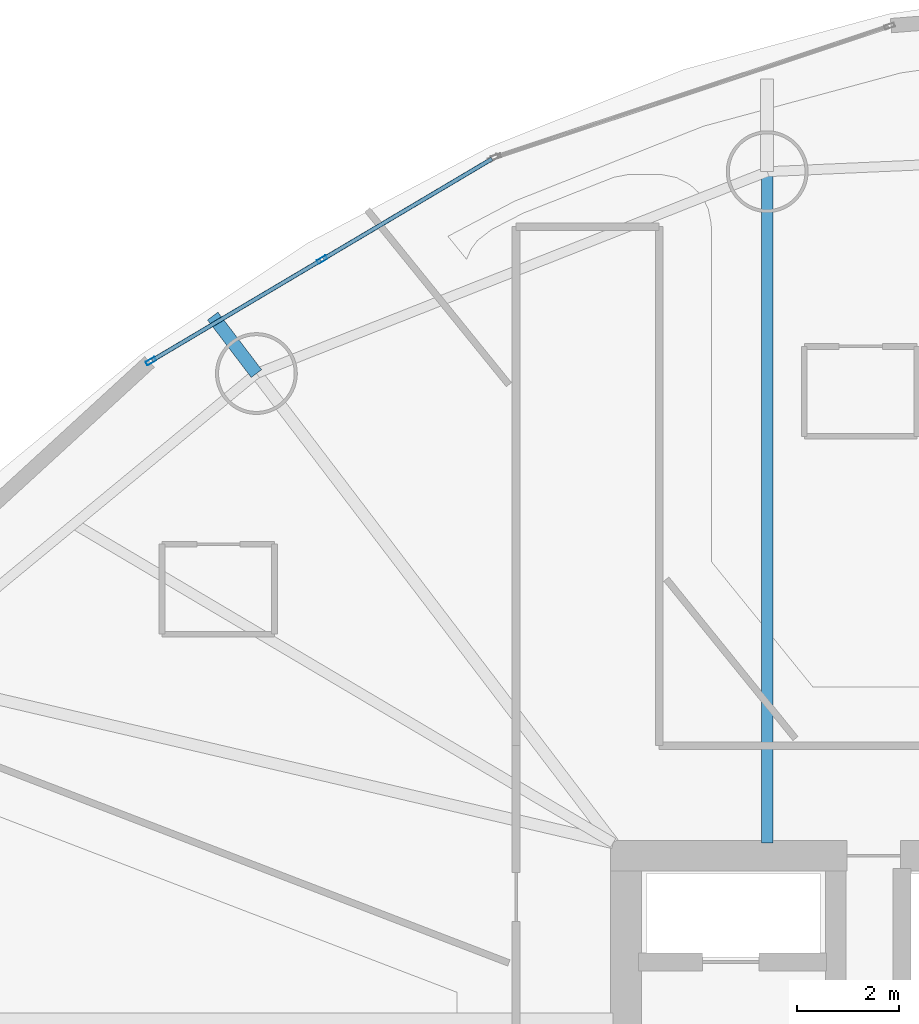
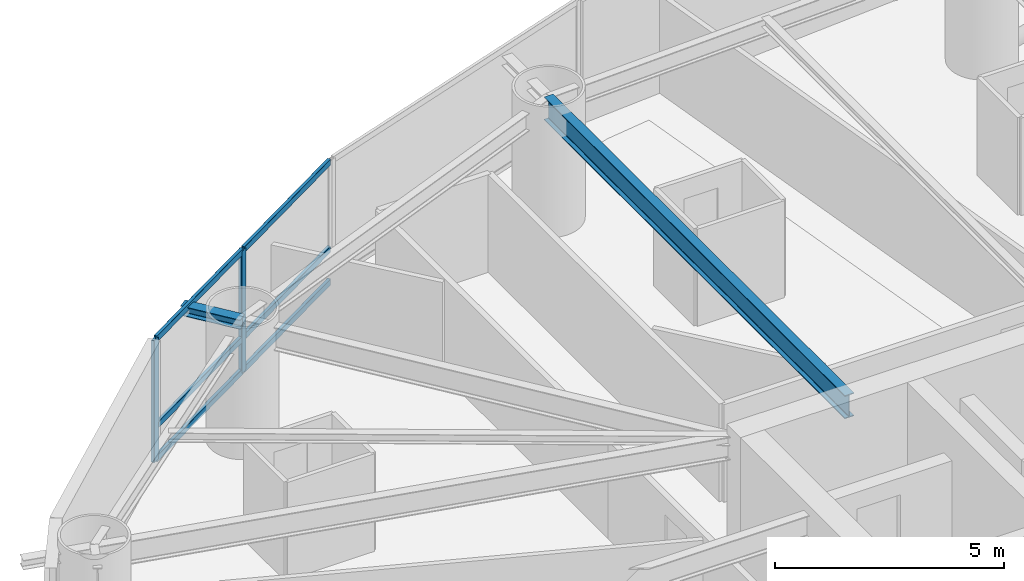
# One storey, part 12 of 25: 8 members, 2 beams, 1 element without a shape of its own.
"""IFC4 building model written with IfcOpenShell, lengths in metres."""

from ifc_helpers import new_model, si_unit, direction, frame, origin, origin_2d, place, context, subcontext, project, spatial, hollow_rectangle, i_section, extrude, material, layer, layer_set, material_profile, profile_set, type_object, element, aggregate, save


model = new_model("IFC4")

# Units and contexts
model_context = context("Model", 3, precision=1e-05, world=origin(), true_north=direction((0.0, 1.0)))
body_context = subcontext(model_context, "Body", "Model", "MODEL_VIEW")
ifc_project = project(units=[si_unit("LENGTHUNIT", "METRE"), si_unit("AREAUNIT", "SQUARE_METRE"), si_unit("VOLUMEUNIT", "CUBIC_METRE"), si_unit("PLANEANGLEUNIT", "RADIAN"), si_unit("MASSUNIT", "GRAM", prefix="KILO")], contexts=[model_context])

# Site, building, storey
site_placement = place(None, origin())
site = spatial("IfcSite", under=ifc_project, at=site_placement, CompositionType="ELEMENT")
building_placement = place(site_placement, origin())
building = spatial("IfcBuilding", under=site, at=building_placement, Name="Bramvorn Convention Spire", CompositionType="ELEMENT")
storey_placement = place(building_placement, frame((0.0, 0.0, 48.39990234375)))
storey = spatial("IfcBuildingStorey", under=building, at=storey_placement, Name="L09", CompositionType="ELEMENT", Elevation=48.39990234375)

# Beams
ifc_material_1 = material(Name="Steel CSA G40.21 Grade 350 (350W)", Category="steel")
ifc_material_profile_1 = material_profile(ifc_material_1, i_section(OverallWidth=0.25390625, OverallDepth=0.2529296875, WebThickness=0.008544921875, FlangeThickness=0.01416015625, FilletRadius=0.011962890625, at=origin_2d()))
ifc_profile_set_1 = profile_set([ifc_material_profile_1], Name="Steel CSA G40.21 Grade 350 (350W) - W250X73")
beam_type_1 = type_object("IfcBeamType", Name="BM-W250X73", PredefinedType="BEAM", material=ifc_profile_set_1)
beam_1_placement = place(storey_placement, frame((19.772216796875, 42.628662109375, 3.108642578125), z_axis=(-0.605162198439, 0.796102200462, 0.0), x_axis=(-0.796102200462, -0.605162198439, 0.0)))
element("IfcBeam", 1, at=beam_1_placement, inside=storey, type_object=beam_type_1, Name="L09 slab-edge cantilever tip beam MC07", PredefinedType="BEAM", context=body_context, shape_type="SweptSolid", body=[
    extrude(i_section(OverallWidth=0.25390625, OverallDepth=0.2529296875, WebThickness=0.008544921875, FlangeThickness=0.01416015625, FilletRadius=0.011962890625, at=origin_2d()), origin(), (0.0, 0.0, 1.0), 1.41162109375),
])
ifc_material_profile_2 = material_profile(ifc_material_1, i_section(OverallWidth=0.22998046875, OverallDepth=0.616943359375, WebThickness=0.01318359375, FlangeThickness=0.022216796875, FilletRadius=0.02001953125, at=origin_2d()))
ifc_profile_set_2 = profile_set([ifc_material_profile_2], Name="Steel CSA G40.21 Grade 350 (350W) - W610X140")
beam_type_2 = type_object("IfcBeamType", Name="BM-W610X140", PredefinedType="BEAM", material=ifc_profile_set_2)
beam_2_placement = place(storey_placement, frame((29.76220703125, 33.449951171875, 2.941650390625), z_axis=(0.0, 1.0, 0.0), x_axis=(-1.0, 0.0, 0.0)))
element("IfcBeam", 2, at=beam_2_placement, inside=storey, type_object=beam_type_2, Name="L09 radial floor girder MC06", PredefinedType="BEAM", context=body_context, shape_type="SweptSolid", body=[
    extrude(i_section(OverallWidth=0.22998046875, OverallDepth=0.616943359375, WebThickness=0.01318359375, FlangeThickness=0.022216796875, FilletRadius=0.02001953125, at=origin_2d()), origin(), (0.0, 0.0, 1.0), 13.126708984375),
])

# Curtain wall, members
ifc_material_2 = material(Name="Anodised Bronze Unitised Curtain Wall", Category="aluminium")
ifc_layer = layer(ifc_material_2, 0.179931640625)
ifc_layer_set = layer_set([ifc_layer], Name="Anodised Bronze Unitised Curtain Wall - CW-HTL-FRIT")
curtain_wall_type = type_object("IfcCurtainWallType", Name="CW-HTL-FRIT", PredefinedType="USERDEFINED", material=ifc_layer_set)
curtain_wall_placement = place(storey_placement, origin())
curtain_wall = element("IfcCurtainWall", 3, at=curtain_wall_placement, inside=storey, type_object=curtain_wall_type, Name="L09 fritted glass curtain wall 09", ObjectType="UNITISED CURTAIN WALL", PredefinedType="USERDEFINED")
ifc_material_3 = material(Name="Anodised Bronze Aluminium 6063-T6", Category="aluminium")
ifc_material_profile_3 = material_profile(ifc_material_3, hollow_rectangle(XDim=0.080078125, YDim=0.199951171875, WallThickness=0.00390625, InnerFilletRadius=0.0009765625, OuterFilletRadius=0.00390625, at=origin_2d()))
ifc_profile_set_3 = profile_set([ifc_material_profile_3], Name="Anodised Bronze Aluminium 6063-T6 - CWM80X200")
member_type_1 = type_object("IfcMemberType", Name="CW-MUL-180", PredefinedType="MULLION", material=ifc_profile_set_3)
member_1_placement = place(storey_placement, frame((17.708251953125, 42.871337890625, 0.0), z_axis=(0.0, 0.0, 1.0), x_axis=(-0.510048005962, 0.860145936231, 0.0)))
member_1 = element("IfcMember", 4, at=member_1_placement, type_object=member_type_1, Name="CW2 mullion 1", PredefinedType="MULLION", context=body_context, shape_type="SweptSolid", body=[
    extrude(hollow_rectangle(XDim=0.080078125, YDim=0.199951171875, WallThickness=0.00390625, InnerFilletRadius=0.0009765625, OuterFilletRadius=0.00390625, at=origin_2d()), origin(), (0.0, 0.0, 1.0), 3.25),
])
member_2_placement = place(storey_placement, frame((21.056396484375, 44.856689453125, 0.0), z_axis=(0.0, 0.0, 1.0), x_axis=(-0.510048005962, 0.860145936231, 0.0)))
member_2 = element("IfcMember", 5, at=member_2_placement, type_object=member_type_1, Name="CW2 mullion 2", PredefinedType="MULLION", context=body_context, shape_type="SweptSolid", body=[
    extrude(hollow_rectangle(XDim=0.080078125, YDim=0.199951171875, WallThickness=0.00390625, InnerFilletRadius=0.0009765625, OuterFilletRadius=0.00390625, at=origin_2d()), origin(), (0.0, 0.0, 1.0), 3.25),
])
ifc_material_profile_4 = material_profile(ifc_material_3, hollow_rectangle(XDim=0.080078125, YDim=0.159912109375, WallThickness=0.00390625, InnerFilletRadius=0.0009765625, OuterFilletRadius=0.00390625, at=origin_2d()))
ifc_profile_set_4 = profile_set([ifc_material_profile_4], Name="Anodised Bronze Aluminium 6063-T6 - CWT80X160")
member_type_2 = type_object("IfcMemberType", Name="CW-TRN-150", PredefinedType="USERDEFINED", material=ifc_profile_set_4)
member_3_placement = place(storey_placement, frame((17.734130859375, 42.88671875, 0.030029296875), z_axis=(0.860129029032, 0.510076517217, 0.0), x_axis=(-0.510076517217, 0.860129029032, 0.0)))
member_3 = element("IfcMember", 6, at=member_3_placement, type_object=member_type_2, Name="CW2 transom 1.1", ObjectType="TRANSOM", PredefinedType="USERDEFINED", context=body_context, shape_type="SweptSolid", body=[
    extrude(hollow_rectangle(XDim=0.080078125, YDim=0.159912109375, WallThickness=0.00390625, InnerFilletRadius=0.0009765625, OuterFilletRadius=0.00390625, at=origin_2d()), origin(), (0.0, 0.0, 1.0), 3.83251953125),
])
member_4_placement = place(storey_placement, frame((17.734130859375, 42.88671875, 0.900146484375), z_axis=(0.860129029032, 0.510076517217, 0.0), x_axis=(-0.510076517217, 0.860129029032, 0.0)))
member_4 = element("IfcMember", 7, at=member_4_placement, type_object=member_type_2, Name="CW2 transom 1.2", ObjectType="TRANSOM", PredefinedType="USERDEFINED", context=body_context, shape_type="SweptSolid", body=[
    extrude(hollow_rectangle(XDim=0.080078125, YDim=0.159912109375, WallThickness=0.00390625, InnerFilletRadius=0.0009765625, OuterFilletRadius=0.00390625, at=origin_2d()), origin(), (0.0, 0.0, 1.0), 3.83251953125),
])
member_5_placement = place(storey_placement, frame((17.734130859375, 42.88671875, 3.22021484375), z_axis=(0.860129029032, 0.510076517217, 0.0), x_axis=(-0.510076517217, 0.860129029032, 0.0)))
member_5 = element("IfcMember", 8, at=member_5_placement, type_object=member_type_2, Name="CW2 transom 1.3", ObjectType="TRANSOM", PredefinedType="USERDEFINED", context=body_context, shape_type="SweptSolid", body=[
    extrude(hollow_rectangle(XDim=0.080078125, YDim=0.159912109375, WallThickness=0.00390625, InnerFilletRadius=0.0009765625, OuterFilletRadius=0.00390625, at=origin_2d()), origin(), (0.0, 0.0, 1.0), 3.83251953125),
])
member_6_placement = place(storey_placement, frame((21.082275390625, 44.8720703125, 0.030029296875), z_axis=(0.860129029032, 0.510076517217, 0.0), x_axis=(-0.510076517217, 0.860129029032, 0.0)))
member_6 = element("IfcMember", 9, at=member_6_placement, type_object=member_type_2, Name="CW2 transom 2.1", ObjectType="TRANSOM", PredefinedType="USERDEFINED", context=body_context, shape_type="SweptSolid", body=[
    extrude(hollow_rectangle(XDim=0.080078125, YDim=0.159912109375, WallThickness=0.00390625, InnerFilletRadius=0.0009765625, OuterFilletRadius=0.00390625, at=origin_2d()), origin(), (0.0, 0.0, 1.0), 3.83251953125),
])
member_7_placement = place(storey_placement, frame((21.082275390625, 44.8720703125, 0.900146484375), z_axis=(0.860129029032, 0.510076517217, 0.0), x_axis=(-0.510076517217, 0.860129029032, 0.0)))
member_7 = element("IfcMember", 10, at=member_7_placement, type_object=member_type_2, Name="CW2 transom 2.2", ObjectType="TRANSOM", PredefinedType="USERDEFINED", context=body_context, shape_type="SweptSolid", body=[
    extrude(hollow_rectangle(XDim=0.080078125, YDim=0.159912109375, WallThickness=0.00390625, InnerFilletRadius=0.0009765625, OuterFilletRadius=0.00390625, at=origin_2d()), origin(), (0.0, 0.0, 1.0), 3.83251953125),
])
member_8_placement = place(storey_placement, frame((21.082275390625, 44.8720703125, 3.22021484375), z_axis=(0.860129029032, 0.510076517217, 0.0), x_axis=(-0.510076517217, 0.860129029032, 0.0)))
member_8 = element("IfcMember", 11, at=member_8_placement, type_object=member_type_2, Name="CW2 transom 2.3", ObjectType="TRANSOM", PredefinedType="USERDEFINED", context=body_context, shape_type="SweptSolid", body=[
    extrude(hollow_rectangle(XDim=0.080078125, YDim=0.159912109375, WallThickness=0.00390625, InnerFilletRadius=0.0009765625, OuterFilletRadius=0.00390625, at=origin_2d()), origin(), (0.0, 0.0, 1.0), 3.83251953125),
])
aggregate(curtain_wall, [member_1, member_2, member_3, member_4, member_5, member_6, member_7, member_8])

save(model, "model.ifc")
